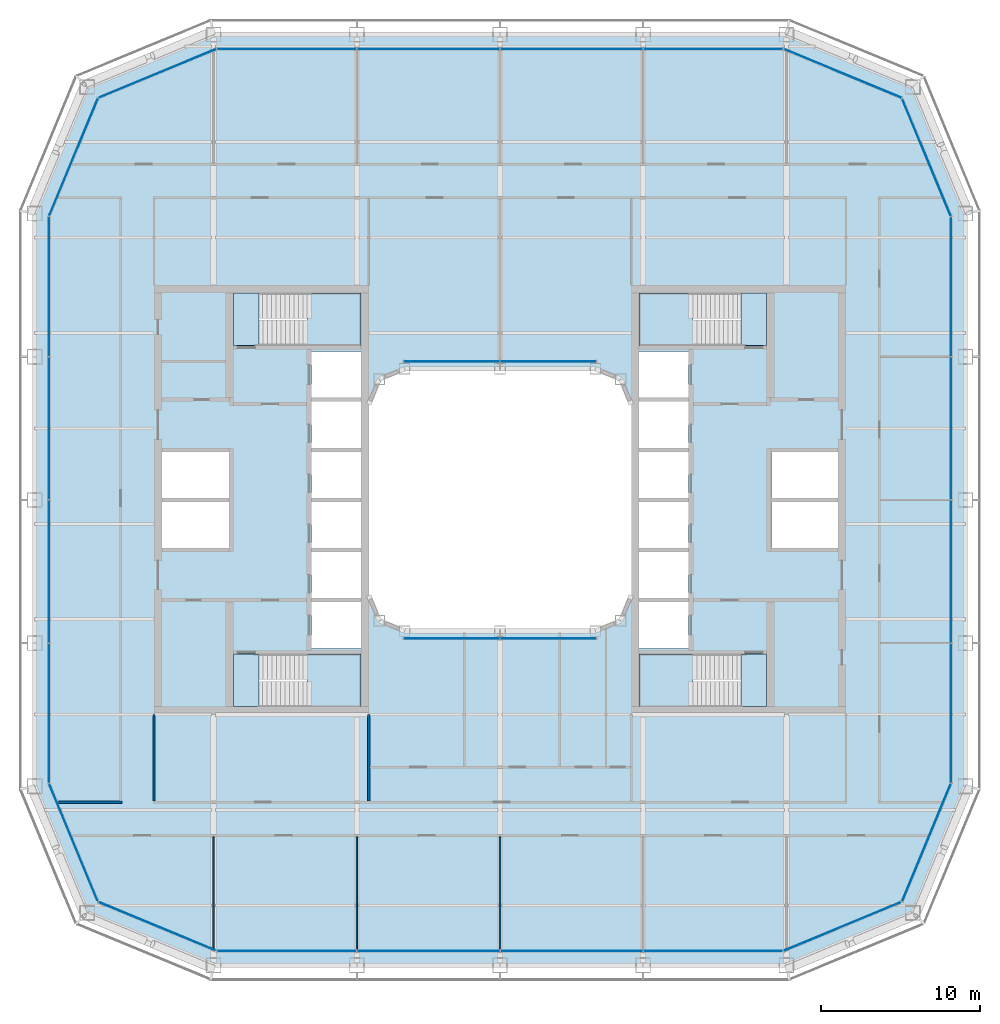
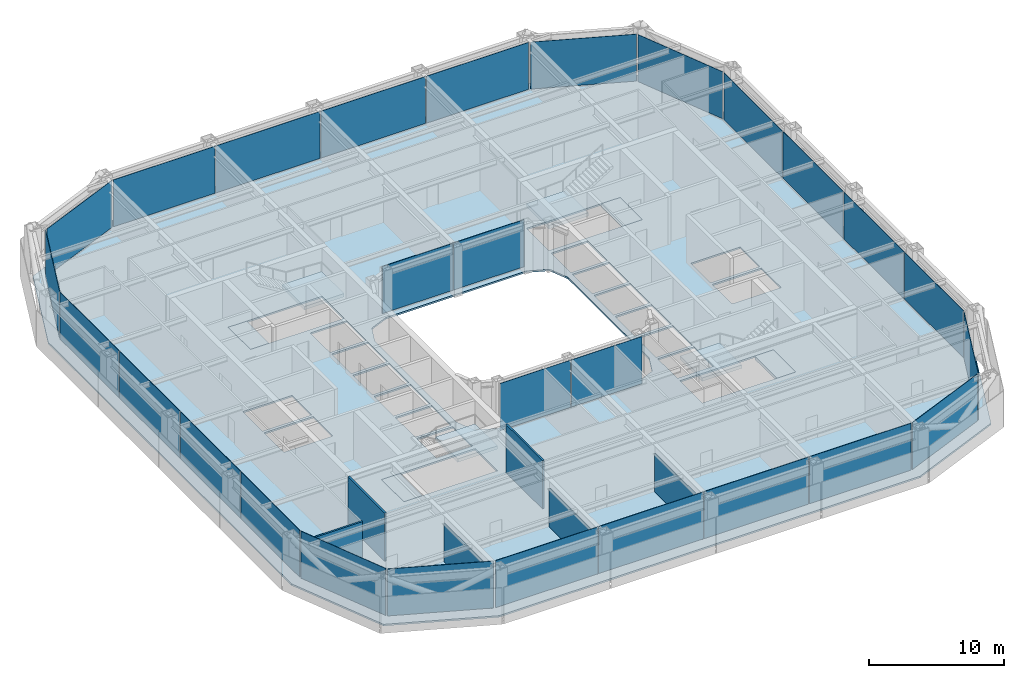
# One storey, part 10 of 21: 28 plates, 9 slabs, 6 walls, 18 elements without a shape of their own.
"""IFC4 building model written with IfcOpenShell, lengths in metres."""

from ifc_helpers import new_model, si_unit, direction, frame, frame_2d, origin, origin_2d, place, context, subcontext, project, spatial, polyline, rectangle, outline, extrude, material, layer, layer_set, type_object, element, aggregate, save


model = new_model("IFC4")

# Units and contexts
model_context = context("Model", 3, precision=1e-05, world=origin(), true_north=direction((0.0, 1.0)))
body_context = subcontext(model_context, "Body", "Model", "MODEL_VIEW")
ifc_project = project(units=[si_unit("LENGTHUNIT", "METRE"), si_unit("AREAUNIT", "SQUARE_METRE"), si_unit("VOLUMEUNIT", "CUBIC_METRE"), si_unit("PLANEANGLEUNIT", "RADIAN"), si_unit("MASSUNIT", "GRAM", prefix="KILO")], contexts=[model_context])

# Site, building, storey
site_placement = place(None, origin())
site = spatial("IfcSite", under=ifc_project, at=site_placement, CompositionType="ELEMENT")
building_placement = place(site_placement, origin())
building = spatial("IfcBuilding", under=site, at=building_placement, Name="Siwar Civic Tower", CompositionType="ELEMENT")
storey_placement = place(building_placement, frame((0.0, 0.0, 140.699951171875)))
storey = spatial("IfcBuildingStorey", under=building, at=storey_placement, Name="L30", CompositionType="ELEMENT", Elevation=140.699951171875)

# Stair, slabs
ifc_material_1 = material(Name="Concrete C40/50", Category="concrete")
stair_type = type_object("IfcStairType", Name="CORE-STAIR", PredefinedType="TWO_STRAIGHT_RUN_STAIR", material=ifc_material_1)
stair_1_placement = place(storey_placement, origin())
stair_1 = element("IfcStair", 1, at=stair_1_placement, inside=storey, type_object=stair_type, Name="Exit stair ST1", PredefinedType="TWO_STRAIGHT_RUN_STAIR")
ifc_material_2 = material(Name="Concrete C40/50", Category="concrete")
ifc_layer_1 = layer(ifc_material_2, 0.300048828125)
ifc_layer_set_1 = layer_set([ifc_layer_1], Name="Concrete C40/50")
slab_type_1 = type_object("IfcSlabType", Name="CORE-STAIR-LANDING", PredefinedType="LANDING", material=ifc_layer_set_1)
slab_1_placement = place(storey_placement, frame((0.0, 0.0, -0.300048828125)))
slab_1 = element("IfcSlab", 2, at=slab_1_placement, type_object=slab_type_1, Name="ST1 landing 1", PredefinedType="LANDING", context=body_context, shape_type="SweptSolid", body=[
    extrude(outline(polyline([(-15.14990234375, 13.0), (-16.75, 13.0), (-16.75, 9.699951171875), (-15.14990234375, 9.699951171875), (-15.14990234375, 13.0)])), origin(), (0.0, 0.0, 1.0), 0.300048828125),
])
slab_2_placement = place(storey_placement, frame((0.0, 0.0, 1.949951171875)))
slab_2 = element("IfcSlab", 3, at=slab_2_placement, type_object=slab_type_1, Name="ST1 landing 2", PredefinedType="LANDING", context=body_context, shape_type="SweptSolid", body=[
    extrude(outline(polyline([(-8.75, 13.0), (-12.139892578125, 13.0), (-12.139892578125, 9.699951171875), (-8.75, 9.699951171875), (-8.75, 13.0)])), origin(), (0.0, 0.0, 1.0), 0.300048828125),
])
aggregate(stair_1, [slab_1, slab_2])

stair_2_placement = place(storey_placement, origin())
stair_2 = element("IfcStair", 4, at=stair_2_placement, inside=storey, type_object=stair_type, Name="Exit stair ST2", PredefinedType="TWO_STRAIGHT_RUN_STAIR")
slab_3_placement = place(storey_placement, frame((0.0, 0.0, -0.300048828125)))
slab_3 = element("IfcSlab", 5, at=slab_3_placement, type_object=slab_type_1, Name="ST2 landing 1", PredefinedType="LANDING", context=body_context, shape_type="SweptSolid", body=[
    extrude(outline(polyline([(-15.14990234375, -9.699951171875), (-16.75, -9.699951171875), (-16.75, -13.0), (-15.14990234375, -13.0), (-15.14990234375, -9.699951171875)])), origin(), (0.0, 0.0, 1.0), 0.300048828125),
])
slab_4_placement = place(storey_placement, frame((0.0, 0.0, 1.949951171875)))
slab_4 = element("IfcSlab", 6, at=slab_4_placement, type_object=slab_type_1, Name="ST2 landing 2", PredefinedType="LANDING", context=body_context, shape_type="SweptSolid", body=[
    extrude(outline(polyline([(-8.75, -9.699951171875), (-12.139892578125, -9.699951171875), (-12.139892578125, -13.0), (-8.75, -13.0), (-8.75, -9.699951171875)])), origin(), (0.0, 0.0, 1.0), 0.300048828125),
])
aggregate(stair_2, [slab_3, slab_4])

stair_3_placement = place(storey_placement, origin())
stair_3 = element("IfcStair", 7, at=stair_3_placement, inside=storey, type_object=stair_type, Name="Exit stair ST3", PredefinedType="TWO_STRAIGHT_RUN_STAIR")
slab_5_placement = place(storey_placement, frame((0.0, 0.0, -0.300048828125)))
slab_5 = element("IfcSlab", 8, at=slab_5_placement, type_object=slab_type_1, Name="ST3 landing 1", PredefinedType="LANDING", context=body_context, shape_type="SweptSolid", body=[
    extrude(outline(polyline([(15.14990234375, 9.699951171875), (16.75, 9.699951171875), (16.75, 13.0), (15.14990234375, 13.0), (15.14990234375, 9.699951171875)])), origin(), (0.0, 0.0, 1.0), 0.300048828125),
])
slab_6_placement = place(storey_placement, frame((0.0, 0.0, 1.949951171875)))
slab_6 = element("IfcSlab", 9, at=slab_6_placement, type_object=slab_type_1, Name="ST3 landing 2", PredefinedType="LANDING", context=body_context, shape_type="SweptSolid", body=[
    extrude(outline(polyline([(8.75, 9.699951171875), (12.139892578125, 9.699951171875), (12.139892578125, 13.0), (8.75, 13.0), (8.75, 9.699951171875)])), origin(), (0.0, 0.0, 1.0), 0.300048828125),
])
aggregate(stair_3, [slab_5, slab_6])

stair_4_placement = place(storey_placement, origin())
stair_4 = element("IfcStair", 10, at=stair_4_placement, inside=storey, type_object=stair_type, Name="Exit stair ST4", PredefinedType="TWO_STRAIGHT_RUN_STAIR")
slab_7_placement = place(storey_placement, frame((0.0, 0.0, -0.300048828125)))
slab_7 = element("IfcSlab", 11, at=slab_7_placement, type_object=slab_type_1, Name="ST4 landing 1", PredefinedType="LANDING", context=body_context, shape_type="SweptSolid", body=[
    extrude(outline(polyline([(15.14990234375, -13.0), (16.75, -13.0), (16.75, -9.699951171875), (15.14990234375, -9.699951171875), (15.14990234375, -13.0)])), origin(), (0.0, 0.0, 1.0), 0.300048828125),
])
slab_8_placement = place(storey_placement, frame((0.0, 0.0, 1.949951171875)))
slab_8 = element("IfcSlab", 12, at=slab_8_placement, type_object=slab_type_1, Name="ST4 landing 2", PredefinedType="LANDING", context=body_context, shape_type="SweptSolid", body=[
    extrude(outline(polyline([(8.75, -13.0), (12.139892578125, -13.0), (12.139892578125, -9.699951171875), (8.75, -9.699951171875), (8.75, -13.0)])), origin(), (0.0, 0.0, 1.0), 0.300048828125),
])
aggregate(stair_4, [slab_7, slab_8])

# Curtain wall, plates
ifc_material_3 = material(Name="Aluminium and glass", Category="aluminium")
ifc_layer_2 = layer(ifc_material_3, 0.199951171875)
ifc_layer_set_2 = layer_set([ifc_layer_2], Name="Aluminium and glass")
curtain_wall_type_1 = type_object("IfcCurtainWallType", Name="ENV-CW-B", PredefinedType="NOTDEFINED", material=ifc_layer_set_2)
curtain_wall_1_placement = place(storey_placement, origin())
curtain_wall_1 = element("IfcCurtainWall", 13, at=curtain_wall_1_placement, inside=storey, type_object=curtain_wall_type_1, Name="Curtain wall B S", PredefinedType="NOTDEFINED")
ifc_material_4 = material(Name="Glass clear laminated", Category="glass")
ifc_layer_3 = layer(ifc_material_4, 0.033935546875)
ifc_layer_set_3 = layer_set([ifc_layer_3], Name="Glass clear laminated")
plate_type_1 = type_object("IfcPlateType", Name="ENV-PANEL-B", PredefinedType="CURTAIN_PANEL", material=ifc_layer_set_3)
plate_1_placement = place(storey_placement, frame((-13.410400390625, -28.35009765625, 0.10986328125), z_axis=(0.0, 0.0, 1.0), x_axis=(1.0, 0.0, 0.0)))
plate_1 = element("IfcPlate", 14, at=plate_1_placement, type_object=plate_type_1, Name="Curtain panel B S 1", PredefinedType="CURTAIN_PANEL", context=body_context, shape_type="SweptSolid", body=[
    extrude(rectangle(XDim=8.755859375, YDim=0.033935546875, at=origin_2d()), origin(), (0.0, 0.0, 1.0), 4.239990234375),
])
plate_2_placement = place(storey_placement, frame((-4.5, -28.35009765625, 0.10986328125), z_axis=(0.0, 0.0, 1.0), x_axis=(1.0, 0.0, 0.0)))
plate_2 = element("IfcPlate", 15, at=plate_2_placement, type_object=plate_type_1, Name="Curtain panel B S 2", PredefinedType="CURTAIN_PANEL", context=body_context, shape_type="SweptSolid", body=[
    extrude(rectangle(XDim=8.93505859375, YDim=0.033935546875, at=origin_2d()), origin(), (0.0, 0.0, 1.0), 4.239990234375),
])
plate_3_placement = place(storey_placement, frame((4.5, -28.35009765625, 0.10986328125), z_axis=(0.0, 0.0, 1.0), x_axis=(1.0, 0.0, 0.0)))
plate_3 = element("IfcPlate", 16, at=plate_3_placement, type_object=plate_type_1, Name="Curtain panel B S 3", PredefinedType="CURTAIN_PANEL", context=body_context, shape_type="SweptSolid", body=[
    extrude(rectangle(XDim=8.93505859375, YDim=0.033935546875, at=origin_2d()), origin(), (0.0, 0.0, 1.0), 4.239990234375),
])
plate_4_placement = place(storey_placement, frame((13.369873046875, -28.35009765625, 0.10986328125), z_axis=(0.0, 0.0, 1.0), x_axis=(1.0, 0.0, 0.0)))
plate_4 = element("IfcPlate", 17, at=plate_4_placement, type_object=plate_type_1, Name="Curtain panel B S 4", PredefinedType="CURTAIN_PANEL", context=body_context, shape_type="SweptSolid", body=[
    extrude(rectangle(XDim=8.6748046875, YDim=0.033935546875, at=origin_2d()), origin(), (0.0, 0.0, 1.0), 4.239990234375),
])
aggregate(curtain_wall_1, [plate_1, plate_2, plate_3, plate_4])

curtain_wall_2_placement = place(storey_placement, origin())
curtain_wall_2 = element("IfcCurtainWall", 18, at=curtain_wall_2_placement, inside=storey, type_object=curtain_wall_type_1, Name="Curtain wall B E", PredefinedType="NOTDEFINED")
plate_5_placement = place(storey_placement, frame((28.35009765625, -13.410400390625, 0.10986328125), z_axis=(0.0, 0.0, 1.0), x_axis=(0.0, 1.0, 0.0)))
plate_5 = element("IfcPlate", 19, at=plate_5_placement, type_object=plate_type_1, Name="Curtain panel B E 1", PredefinedType="CURTAIN_PANEL", context=body_context, shape_type="SweptSolid", body=[
    extrude(rectangle(XDim=8.755859375, YDim=0.033935546875, at=origin_2d()), origin(), (0.0, 0.0, 1.0), 4.239990234375),
])
plate_6_placement = place(storey_placement, frame((28.35009765625, -4.5, 0.10986328125), z_axis=(0.0, 0.0, 1.0), x_axis=(0.0, 1.0, 0.0)))
plate_6 = element("IfcPlate", 20, at=plate_6_placement, type_object=plate_type_1, Name="Curtain panel B E 2", PredefinedType="CURTAIN_PANEL", context=body_context, shape_type="SweptSolid", body=[
    extrude(rectangle(XDim=8.93505859375, YDim=0.033935546875, at=origin_2d()), origin(), (0.0, 0.0, 1.0), 4.239990234375),
])
plate_7_placement = place(storey_placement, frame((28.35009765625, 4.5, 0.10986328125), z_axis=(0.0, 0.0, 1.0), x_axis=(0.0, 1.0, 0.0)))
plate_7 = element("IfcPlate", 21, at=plate_7_placement, type_object=plate_type_1, Name="Curtain panel B E 3", PredefinedType="CURTAIN_PANEL", context=body_context, shape_type="SweptSolid", body=[
    extrude(rectangle(XDim=8.93505859375, YDim=0.033935546875, at=origin_2d()), origin(), (0.0, 0.0, 1.0), 4.239990234375),
])
plate_8_placement = place(storey_placement, frame((28.35009765625, 13.369873046875, 0.10986328125), z_axis=(0.0, 0.0, 1.0), x_axis=(0.0, 1.0, 0.0)))
plate_8 = element("IfcPlate", 22, at=plate_8_placement, type_object=plate_type_1, Name="Curtain panel B E 4", PredefinedType="CURTAIN_PANEL", context=body_context, shape_type="SweptSolid", body=[
    extrude(rectangle(XDim=8.6748046875, YDim=0.033935546875, at=origin_2d()), origin(), (0.0, 0.0, 1.0), 4.239990234375),
])
aggregate(curtain_wall_2, [plate_5, plate_6, plate_7, plate_8])

curtain_wall_3_placement = place(storey_placement, origin())
curtain_wall_3 = element("IfcCurtainWall", 23, at=curtain_wall_3_placement, inside=storey, type_object=curtain_wall_type_1, Name="Curtain wall B N", PredefinedType="NOTDEFINED")
plate_9_placement = place(storey_placement, frame((13.410400390625, 28.35009765625, 0.10986328125), z_axis=(0.0, 0.0, 1.0), x_axis=(-1.0, 0.0, 0.0)))
plate_9 = element("IfcPlate", 24, at=plate_9_placement, type_object=plate_type_1, Name="Curtain panel B N 1", PredefinedType="CURTAIN_PANEL", context=body_context, shape_type="SweptSolid", body=[
    extrude(rectangle(XDim=8.755859375, YDim=0.033935546875, at=origin_2d()), origin(), (0.0, 0.0, 1.0), 4.239990234375),
])
plate_10_placement = place(storey_placement, frame((4.5, 28.35009765625, 0.10986328125), z_axis=(0.0, 0.0, 1.0), x_axis=(-1.0, 0.0, 0.0)))
plate_10 = element("IfcPlate", 25, at=plate_10_placement, type_object=plate_type_1, Name="Curtain panel B N 2", PredefinedType="CURTAIN_PANEL", context=body_context, shape_type="SweptSolid", body=[
    extrude(rectangle(XDim=8.93505859375, YDim=0.033935546875, at=origin_2d()), origin(), (0.0, 0.0, 1.0), 4.239990234375),
])
plate_11_placement = place(storey_placement, frame((-4.5, 28.35009765625, 0.10986328125), z_axis=(0.0, 0.0, 1.0), x_axis=(-1.0, 0.0, 0.0)))
plate_11 = element("IfcPlate", 26, at=plate_11_placement, type_object=plate_type_1, Name="Curtain panel B N 3", PredefinedType="CURTAIN_PANEL", context=body_context, shape_type="SweptSolid", body=[
    extrude(rectangle(XDim=8.93505859375, YDim=0.033935546875, at=origin_2d()), origin(), (0.0, 0.0, 1.0), 4.239990234375),
])
plate_12_placement = place(storey_placement, frame((-13.369873046875, 28.35009765625, 0.10986328125), z_axis=(0.0, 0.0, 1.0), x_axis=(-1.0, 0.0, 0.0)))
plate_12 = element("IfcPlate", 27, at=plate_12_placement, type_object=plate_type_1, Name="Curtain panel B N 4", PredefinedType="CURTAIN_PANEL", context=body_context, shape_type="SweptSolid", body=[
    extrude(rectangle(XDim=8.6748046875, YDim=0.033935546875, at=origin_2d()), origin(), (0.0, 0.0, 1.0), 4.239990234375),
])
aggregate(curtain_wall_3, [plate_9, plate_10, plate_11, plate_12])

curtain_wall_4_placement = place(storey_placement, origin())
curtain_wall_4 = element("IfcCurtainWall", 28, at=curtain_wall_4_placement, inside=storey, type_object=curtain_wall_type_1, Name="Curtain wall B W", PredefinedType="NOTDEFINED")
plate_13_placement = place(storey_placement, frame((-28.35009765625, 13.410400390625, 0.10986328125), z_axis=(0.0, 0.0, 1.0), x_axis=(0.0, -1.0, 0.0)))
plate_13 = element("IfcPlate", 29, at=plate_13_placement, type_object=plate_type_1, Name="Curtain panel B W 1", PredefinedType="CURTAIN_PANEL", context=body_context, shape_type="SweptSolid", body=[
    extrude(rectangle(XDim=8.755859375, YDim=0.033935546875, at=origin_2d()), origin(), (0.0, 0.0, 1.0), 4.239990234375),
])
plate_14_placement = place(storey_placement, frame((-28.35009765625, 4.5, 0.10986328125), z_axis=(0.0, 0.0, 1.0), x_axis=(0.0, -1.0, 0.0)))
plate_14 = element("IfcPlate", 30, at=plate_14_placement, type_object=plate_type_1, Name="Curtain panel B W 2", PredefinedType="CURTAIN_PANEL", context=body_context, shape_type="SweptSolid", body=[
    extrude(rectangle(XDim=8.93505859375, YDim=0.033935546875, at=origin_2d()), origin(), (0.0, 0.0, 1.0), 4.239990234375),
])
plate_15_placement = place(storey_placement, frame((-28.35009765625, -4.5, 0.10986328125), z_axis=(0.0, 0.0, 1.0), x_axis=(0.0, -1.0, 0.0)))
plate_15 = element("IfcPlate", 31, at=plate_15_placement, type_object=plate_type_1, Name="Curtain panel B W 3", PredefinedType="CURTAIN_PANEL", context=body_context, shape_type="SweptSolid", body=[
    extrude(rectangle(XDim=8.93505859375, YDim=0.033935546875, at=origin_2d()), origin(), (0.0, 0.0, 1.0), 4.239990234375),
])
plate_16_placement = place(storey_placement, frame((-28.35009765625, -13.369873046875, 0.10986328125), z_axis=(0.0, 0.0, 1.0), x_axis=(0.0, -1.0, 0.0)))
plate_16 = element("IfcPlate", 32, at=plate_16_placement, type_object=plate_type_1, Name="Curtain panel B W 4", PredefinedType="CURTAIN_PANEL", context=body_context, shape_type="SweptSolid", body=[
    extrude(rectangle(XDim=8.6748046875, YDim=0.033935546875, at=origin_2d()), origin(), (0.0, 0.0, 1.0), 4.239990234375),
])
aggregate(curtain_wall_4, [plate_13, plate_14, plate_15, plate_16])

# Curtain wall, plate
ifc_material_5 = material(Name="Aluminium clad insulated panel", Category="aluminium")
ifc_layer_4 = layer(ifc_material_5, 0.199951171875)
ifc_layer_set_4 = layer_set([ifc_layer_4], Name="Aluminium clad insulated panel")
curtain_wall_type_2 = type_object("IfcCurtainWallType", Name="ENV-CW-BX", PredefinedType="NOTDEFINED", material=ifc_layer_set_4)
curtain_wall_5_placement = place(storey_placement, origin())
curtain_wall_5 = element("IfcCurtainWall", 33, at=curtain_wall_5_placement, inside=storey, type_object=curtain_wall_type_2, Name="Curtain wall B SE1", PredefinedType="NOTDEFINED")
ifc_material_6 = material(Name="Aluminium clad insulated panel", Category="aluminium")
ifc_layer_5 = layer(ifc_material_6, 0.033935546875)
ifc_layer_set_5 = layer_set([ifc_layer_5], Name="Aluminium clad insulated panel")
plate_type_2 = type_object("IfcPlateType", Name="ENV-PANEL-BX", PredefinedType="CURTAIN_PANEL", material=ifc_layer_set_5)
plate_17_placement = place(storey_placement, frame((21.506103515625, -26.823486328125, 0.10986328125), z_axis=(0.0, 0.0, 1.0), x_axis=(0.923879532511, 0.382683432365, 0.0)))
plate_17 = element("IfcPlate", 34, at=plate_17_placement, type_object=plate_type_2, Name="Curtain panel B SE1 1", PredefinedType="CURTAIN_PANEL", context=body_context, shape_type="SweptSolid", body=[
    extrude(rectangle(XDim=7.912353515625, YDim=0.033935546875, at=origin_2d()), origin(), (0.0, 0.0, 1.0), 4.239990234375),
])
aggregate(curtain_wall_5, [plate_17])

curtain_wall_6_placement = place(storey_placement, origin())
curtain_wall_6 = element("IfcCurtainWall", 35, at=curtain_wall_6_placement, inside=storey, type_object=curtain_wall_type_2, Name="Curtain wall B SE2", PredefinedType="NOTDEFINED")
plate_18_placement = place(storey_placement, frame((26.79248046875, -21.5810546875, 0.10986328125), z_axis=(0.0, 0.0, 1.0), x_axis=(0.382683432365, 0.923879532511, 0.0)))
plate_18 = element("IfcPlate", 36, at=plate_18_placement, type_object=plate_type_2, Name="Curtain panel B SE2 1", PredefinedType="CURTAIN_PANEL", context=body_context, shape_type="SweptSolid", body=[
    extrude(rectangle(XDim=7.912353515625, YDim=0.033935546875, at=origin_2d()), origin(), (0.0, 0.0, 1.0), 4.239990234375),
])
aggregate(curtain_wall_6, [plate_18])

curtain_wall_7_placement = place(storey_placement, origin())
curtain_wall_7 = element("IfcCurtainWall", 37, at=curtain_wall_7_placement, inside=storey, type_object=curtain_wall_type_2, Name="Curtain wall B NE1", PredefinedType="NOTDEFINED")
plate_19_placement = place(storey_placement, frame((26.823486328125, 21.506103515625, 0.10986328125), z_axis=(0.0, 0.0, 1.0), x_axis=(-0.382683432365, 0.923879532511, 0.0)))
plate_19 = element("IfcPlate", 38, at=plate_19_placement, type_object=plate_type_2, Name="Curtain panel B NE1 1", PredefinedType="CURTAIN_PANEL", context=body_context, shape_type="SweptSolid", body=[
    extrude(rectangle(XDim=7.912353515625, YDim=0.033935546875, at=origin_2d()), origin(), (0.0, 0.0, 1.0), 4.239990234375),
])
aggregate(curtain_wall_7, [plate_19])

curtain_wall_8_placement = place(storey_placement, origin())
curtain_wall_8 = element("IfcCurtainWall", 39, at=curtain_wall_8_placement, inside=storey, type_object=curtain_wall_type_2, Name="Curtain wall B NE2", PredefinedType="NOTDEFINED")
plate_20_placement = place(storey_placement, frame((21.5810546875, 26.79248046875, 0.10986328125), z_axis=(0.0, 0.0, 1.0), x_axis=(-0.923879532511, 0.382683432365, 0.0)))
plate_20 = element("IfcPlate", 40, at=plate_20_placement, type_object=plate_type_2, Name="Curtain panel B NE2 1", PredefinedType="CURTAIN_PANEL", context=body_context, shape_type="SweptSolid", body=[
    extrude(rectangle(XDim=7.912353515625, YDim=0.033935546875, at=origin_2d()), origin(), (0.0, 0.0, 1.0), 4.239990234375),
])
aggregate(curtain_wall_8, [plate_20])

curtain_wall_9_placement = place(storey_placement, origin())
curtain_wall_9 = element("IfcCurtainWall", 41, at=curtain_wall_9_placement, inside=storey, type_object=curtain_wall_type_2, Name="Curtain wall B NW1", PredefinedType="NOTDEFINED")
plate_21_placement = place(storey_placement, frame((-21.506103515625, 26.823486328125, 0.10986328125), z_axis=(0.0, 0.0, 1.0), x_axis=(-0.923879532511, -0.382683432365, 0.0)))
plate_21 = element("IfcPlate", 42, at=plate_21_placement, type_object=plate_type_2, Name="Curtain panel B NW1 1", PredefinedType="CURTAIN_PANEL", context=body_context, shape_type="SweptSolid", body=[
    extrude(rectangle(XDim=7.912353515625, YDim=0.033935546875, at=origin_2d()), origin(), (0.0, 0.0, 1.0), 4.239990234375),
])
aggregate(curtain_wall_9, [plate_21])

curtain_wall_10_placement = place(storey_placement, origin())
curtain_wall_10 = element("IfcCurtainWall", 43, at=curtain_wall_10_placement, inside=storey, type_object=curtain_wall_type_2, Name="Curtain wall B NW2", PredefinedType="NOTDEFINED")
plate_22_placement = place(storey_placement, frame((-26.79248046875, 21.5810546875, 0.10986328125), z_axis=(0.0, 0.0, 1.0), x_axis=(-0.382683432365, -0.923879532511, 0.0)))
plate_22 = element("IfcPlate", 44, at=plate_22_placement, type_object=plate_type_2, Name="Curtain panel B NW2 1", PredefinedType="CURTAIN_PANEL", context=body_context, shape_type="SweptSolid", body=[
    extrude(rectangle(XDim=7.912353515625, YDim=0.033935546875, at=origin_2d()), origin(), (0.0, 0.0, 1.0), 4.239990234375),
])
aggregate(curtain_wall_10, [plate_22])

curtain_wall_11_placement = place(storey_placement, origin())
curtain_wall_11 = element("IfcCurtainWall", 45, at=curtain_wall_11_placement, inside=storey, type_object=curtain_wall_type_2, Name="Curtain wall B SW1", PredefinedType="NOTDEFINED")
plate_23_placement = place(storey_placement, frame((-26.823486328125, -21.506103515625, 0.10986328125), z_axis=(0.0, 0.0, 1.0), x_axis=(0.382683432365, -0.923879532511, 0.0)))
plate_23 = element("IfcPlate", 46, at=plate_23_placement, type_object=plate_type_2, Name="Curtain panel B SW1 1", PredefinedType="CURTAIN_PANEL", context=body_context, shape_type="SweptSolid", body=[
    extrude(rectangle(XDim=7.912353515625, YDim=0.033935546875, at=origin_2d()), origin(), (0.0, 0.0, 1.0), 4.239990234375),
])
aggregate(curtain_wall_11, [plate_23])

curtain_wall_12_placement = place(storey_placement, origin())
curtain_wall_12 = element("IfcCurtainWall", 47, at=curtain_wall_12_placement, inside=storey, type_object=curtain_wall_type_2, Name="Curtain wall B SW2", PredefinedType="NOTDEFINED")
plate_24_placement = place(storey_placement, frame((-21.5810546875, -26.79248046875, 0.10986328125), z_axis=(0.0, 0.0, 1.0), x_axis=(0.923879532511, -0.382683432365, 0.0)))
plate_24 = element("IfcPlate", 48, at=plate_24_placement, type_object=plate_type_2, Name="Curtain panel B SW2 1", PredefinedType="CURTAIN_PANEL", context=body_context, shape_type="SweptSolid", body=[
    extrude(rectangle(XDim=7.912353515625, YDim=0.033935546875, at=origin_2d()), origin(), (0.0, 0.0, 1.0), 4.239990234375),
])
aggregate(curtain_wall_12, [plate_24])

# Curtain wall, plates
ifc_material_7 = material(Name="Aluminium and glass", Category="aluminium")
ifc_layer_6 = layer(ifc_material_7, 0.179931640625)
ifc_layer_set_6 = layer_set([ifc_layer_6], Name="Aluminium and glass")
curtain_wall_type_3 = type_object("IfcCurtainWallType", Name="ENV-CW-W", PredefinedType="NOTDEFINED", material=ifc_layer_set_6)
curtain_wall_13_placement = place(storey_placement, origin())
curtain_wall_13 = element("IfcCurtainWall", 49, at=curtain_wall_13_placement, inside=storey, type_object=curtain_wall_type_3, Name="Curtain wall W WS", PredefinedType="NOTDEFINED")
ifc_material_8 = material(Name="Glass clear laminated", Category="glass")
ifc_layer_7 = layer(ifc_material_8, 0.031982421875)
ifc_layer_set_7 = layer_set([ifc_layer_7], Name="Glass clear laminated")
plate_type_3 = type_object("IfcPlateType", Name="ENV-PANEL-W", PredefinedType="CURTAIN_PANEL", material=ifc_layer_set_7)
plate_25_placement = place(storey_placement, frame((-3.045654296875, -8.7099609375, 0.10009765625), z_axis=(0.0, 0.0, 1.0), x_axis=(1.0, 0.0, 0.0)))
plate_25 = element("IfcPlate", 50, at=plate_25_placement, type_object=plate_type_3, Name="Curtain panel W WS 1", PredefinedType="CURTAIN_PANEL", context=body_context, shape_type="SweptSolid", body=[
    extrude(rectangle(XDim=6.031494140625, YDim=0.031982421875, at=origin_2d()), origin(), (0.0, 0.0, 1.0), 4.25),
])
plate_26_placement = place(storey_placement, frame((3.045654296875, -8.7099609375, 0.10009765625), z_axis=(0.0, 0.0, 1.0), x_axis=(1.0, 0.0, 0.0)))
plate_26 = element("IfcPlate", 51, at=plate_26_placement, type_object=plate_type_3, Name="Curtain panel W WS 2", PredefinedType="CURTAIN_PANEL", context=body_context, shape_type="SweptSolid", body=[
    extrude(rectangle(XDim=6.031494140625, YDim=0.031982421875, at=origin_2d()), origin(), (0.0, 0.0, 1.0), 4.25),
])
aggregate(curtain_wall_13, [plate_25, plate_26])

curtain_wall_14_placement = place(storey_placement, origin())
curtain_wall_14 = element("IfcCurtainWall", 52, at=curtain_wall_14_placement, inside=storey, type_object=curtain_wall_type_3, Name="Curtain wall W WN", PredefinedType="NOTDEFINED")
plate_27_placement = place(storey_placement, frame((3.045654296875, 8.7099609375, 0.10009765625), z_axis=(0.0, 0.0, 1.0), x_axis=(-1.0, 0.0, 0.0)))
plate_27 = element("IfcPlate", 53, at=plate_27_placement, type_object=plate_type_3, Name="Curtain panel W WN 1", PredefinedType="CURTAIN_PANEL", context=body_context, shape_type="SweptSolid", body=[
    extrude(rectangle(XDim=6.031494140625, YDim=0.031982421875, at=origin_2d()), origin(), (0.0, 0.0, 1.0), 4.25),
])
plate_28_placement = place(storey_placement, frame((-3.045654296875, 8.7099609375, 0.10009765625), z_axis=(0.0, 0.0, 1.0), x_axis=(-1.0, 0.0, 0.0)))
plate_28 = element("IfcPlate", 54, at=plate_28_placement, type_object=plate_type_3, Name="Curtain panel W WN 2", PredefinedType="CURTAIN_PANEL", context=body_context, shape_type="SweptSolid", body=[
    extrude(rectangle(XDim=6.031494140625, YDim=0.031982421875, at=origin_2d()), origin(), (0.0, 0.0, 1.0), 4.25),
])
aggregate(curtain_wall_14, [plate_27, plate_28])

# Slab
ifc_material_9 = material(Name="Concrete C40/50", Category="concrete")
ifc_layer_8 = layer(ifc_material_9, 0.14990234375)
ifc_layer_set_8 = layer_set([ifc_layer_8], Name="Concrete C40/50")
slab_type_2 = type_object("IfcSlabType", Name="STR-FLOOR-DECK-150", PredefinedType="FLOOR", material=ifc_layer_set_8)
slab_9_placement = place(storey_placement, frame((0.0, 0.0, -0.14990234375)))
element("IfcSlab", 55, at=slab_9_placement, inside=storey, type_object=slab_type_2, Name="L30/slab/1", PredefinedType="FLOOR", context=body_context, shape_type="SweptSolid", body=[
    extrude(outline(polyline([(-18.0, -29.25), (18.0, -29.25), (25.954833984375, -25.954833984375), (29.25, -18.0), (29.25, 18.0), (25.954833984375, 25.954833984375), (18.0, 29.25), (-18.0, 29.25), (-25.954833984375, 25.954833984375), (-29.25, 18.0), (-29.25, -18.0), (-25.954833984375, -25.954833984375), (-18.0, -29.25)]), holes=[polyline([(21.25, 3.02490234375), (21.25, 0.125), (17.050048828125, 0.125), (17.050048828125, 3.02490234375), (21.25, 3.02490234375)]), polyline([(17.050048828125, -0.125), (21.25, -0.125), (21.25, -3.02490234375), (17.050048828125, -3.02490234375), (17.050048828125, -0.125)]), polyline([(16.75, 13.0), (16.75, 9.699951171875), (8.75, 9.699951171875), (8.75, 13.0), (16.75, 13.0)]), polyline([(8.75, -9.699951171875), (16.75, -9.699951171875), (16.75, -13.0), (8.75, -13.0), (8.75, -9.699951171875)]), polyline([(11.85009765625, 9.324951171875), (11.85009765625, 6.425048828125), (8.75, 6.425048828125), (8.75, 9.324951171875), (11.85009765625, 9.324951171875)]), polyline([(11.85009765625, 3.02490234375), (11.85009765625, 0.125), (8.75, 0.125), (8.75, 3.02490234375), (11.85009765625, 3.02490234375)]), polyline([(11.85009765625, -0.125), (11.85009765625, -3.02490234375), (8.75, -3.02490234375), (8.75, -0.125), (11.85009765625, -0.125)]), polyline([(11.85009765625, -3.27490234375), (11.85009765625, -6.175048828125), (8.75, -6.175048828125), (8.75, -3.27490234375), (11.85009765625, -3.27490234375)]), polyline([(8.75, 6.175048828125), (11.85009765625, 6.175048828125), (11.85009765625, 3.27490234375), (8.75, 3.27490234375), (8.75, 6.175048828125)]), polyline([(8.75, -6.425048828125), (11.85009765625, -6.425048828125), (11.85009765625, -9.324951171875), (8.75, -9.324951171875), (8.75, -6.425048828125)]), polyline([(-6.0, 8.25), (6.0, 8.25), (7.591064453125, 7.591064453125), (8.25, 6.0), (8.25, -6.0), (7.591064453125, -7.591064453125), (6.0, -8.25), (-6.0, -8.25), (-7.591064453125, -7.591064453125), (-8.25, -6.0), (-8.25, 6.0), (-7.591064453125, 7.591064453125), (-6.0, 8.25)]), polyline([(-8.75, 9.699951171875), (-16.75, 9.699951171875), (-16.75, 13.0), (-8.75, 13.0), (-8.75, 9.699951171875)]), polyline([(-8.75, 0.125), (-11.85009765625, 0.125), (-11.85009765625, 3.02490234375), (-8.75, 3.02490234375), (-8.75, 0.125)]), polyline([(-8.75, -6.175048828125), (-11.85009765625, -6.175048828125), (-11.85009765625, -3.27490234375), (-8.75, -3.27490234375), (-8.75, -6.175048828125)]), polyline([(-8.75, -9.324951171875), (-11.85009765625, -9.324951171875), (-11.85009765625, -6.425048828125), (-8.75, -6.425048828125), (-8.75, -9.324951171875)]), polyline([(-8.75, -13.0), (-16.75, -13.0), (-16.75, -9.699951171875), (-8.75, -9.699951171875), (-8.75, -13.0)]), polyline([(-11.85009765625, 6.425048828125), (-11.85009765625, 9.324951171875), (-8.75, 9.324951171875), (-8.75, 6.425048828125), (-11.85009765625, 6.425048828125)]), polyline([(-11.85009765625, 3.27490234375), (-11.85009765625, 6.175048828125), (-8.75, 6.175048828125), (-8.75, 3.27490234375), (-11.85009765625, 3.27490234375)]), polyline([(-11.85009765625, -3.02490234375), (-11.85009765625, -0.125), (-8.75, -0.125), (-8.75, -3.02490234375), (-11.85009765625, -3.02490234375)]), polyline([(-21.25, -3.02490234375), (-21.25, -0.125), (-17.050048828125, -0.125), (-17.050048828125, -3.02490234375), (-21.25, -3.02490234375)]), polyline([(-17.050048828125, 0.125), (-21.25, 0.125), (-21.25, 3.02490234375), (-17.050048828125, 3.02490234375), (-17.050048828125, 0.125)])]), origin(), (0.0, 0.0, 1.0), 0.14990234375),
])

# Walls
ifc_material_10 = material(Name="Gypsum board on steel studs", Category="steel")
ifc_layer_9 = layer(ifc_material_10, 0.14990234375)
ifc_layer_set_9 = layer_set([ifc_layer_9], Name="Gypsum board on steel studs")
wall_type_1 = type_object("IfcWallType", Name="CORRIDOR PARTITION 150 EI 30", PredefinedType="PARTITIONING", material=ifc_layer_set_9)
wall_1_placement = place(storey_placement, frame((-27.763916015625, -19.0, 0.0), z_axis=(0.0, 0.0, 1.0), x_axis=(1.0, 0.0, 0.0)))
element("IfcWall", 56, at=wall_1_placement, inside=storey, type_object=wall_type_1, Name="L30/wall/P02", PredefinedType="PARTITIONING", context=body_context, shape_type="SweptSolid", body=[
    extrude(rectangle(XDim=3.989013671875, YDim=0.14990234375, at=frame_2d((1.99462890625, 0.0))), origin(), (0.0, 0.0, 1.0), 4.35009765625),
])
for number, where, z_axis, x_axis, name in (
    (57, (-21.75, -18.925048828125, 0.0), (0.0, 0.0, 1.0), (0.0, 1.0, 0.0), "L30/wall/P15"),
    (58, (-8.25, -18.925048828125, 0.0), (0.0, 0.0, 1.0), (0.0, 1.0, 0.0), "L30/wall/P22"),
):
    element("IfcWall", number, at=place(storey_placement, frame(where, z_axis=z_axis, x_axis=x_axis)), inside=storey, type_object=wall_type_1, Name=name, PredefinedType="PARTITIONING", context=body_context, shape_type="SweptSolid", body=[
        extrude(rectangle(XDim=5.425048828125, YDim=0.14990234375, at=frame_2d((2.71240234375, 0.0))), origin(), (0.0, 0.0, 1.0), 4.35009765625),
    ])
ifc_material_11 = material(Name="Gypsum board on steel studs", Category="steel")
ifc_layer_10 = layer(ifc_material_11, 0.10009765625)
ifc_layer_set_10 = layer_set([ifc_layer_10], Name="Gypsum board on steel studs")
wall_type_2 = type_object("IfcWallType", Name="PARTITION 100 GYPSUM", PredefinedType="PARTITIONING", material=ifc_layer_set_10)
wall_2_placement = place(storey_placement, frame((-18.0, -28.177978515625, 0.0), z_axis=(0.0, 0.0, 1.0), x_axis=(0.0, 1.0, 0.0)))
element("IfcWall", 59, at=wall_2_placement, inside=storey, type_object=wall_type_2, Name="L30/wall/P17", PredefinedType="PARTITIONING", context=body_context, shape_type="SweptSolid", body=[
    extrude(rectangle(XDim=7.0029296875, YDim=0.10009765625, at=frame_2d((3.50146484375, 0.0))), origin(), (0.0, 0.0, 1.0), 3.449951171875),
])
for number, where, z_axis, x_axis, name in (
    (60, (-9.0, -28.260009765625, 0.0), (0.0, 0.0, 1.0), (0.0, 1.0, 0.0), "L30/wall/P19"),
    (61, (0.0, -28.260009765625, 0.0), (0.0, 0.0, 1.0), (0.0, 1.0, 0.0), "L30/wall/P24"),
):
    element("IfcWall", number, at=place(storey_placement, frame(where, z_axis=z_axis, x_axis=x_axis)), inside=storey, type_object=wall_type_2, Name=name, PredefinedType="PARTITIONING", context=body_context, shape_type="SweptSolid", body=[
        extrude(rectangle(XDim=7.0849609375, YDim=0.10009765625, at=frame_2d((3.54248046875, 0.0))), origin(), (0.0, 0.0, 1.0), 3.449951171875),
    ])

save(model, "model.ifc")
